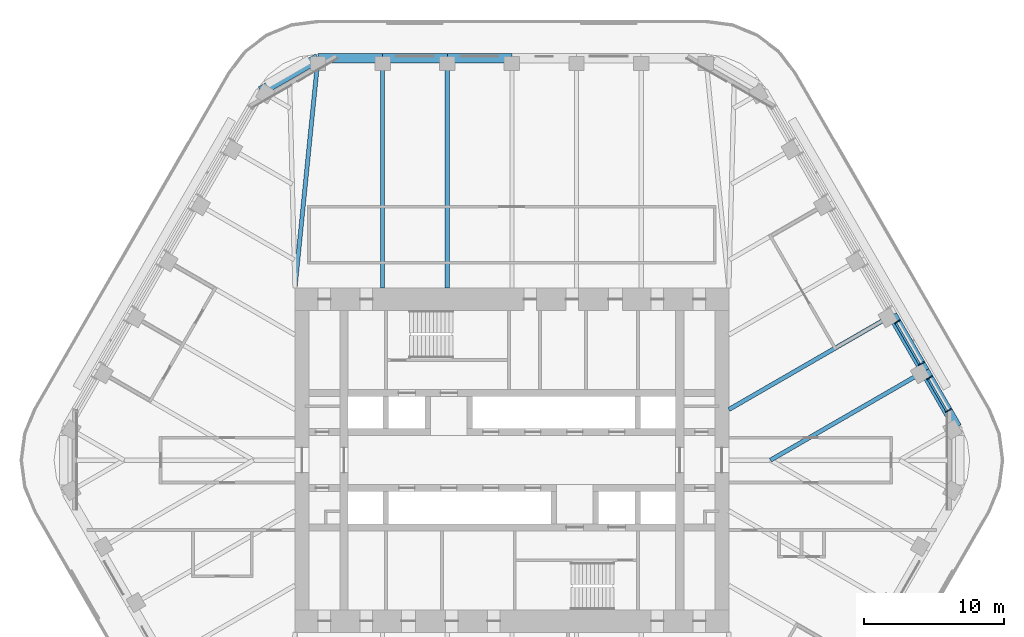
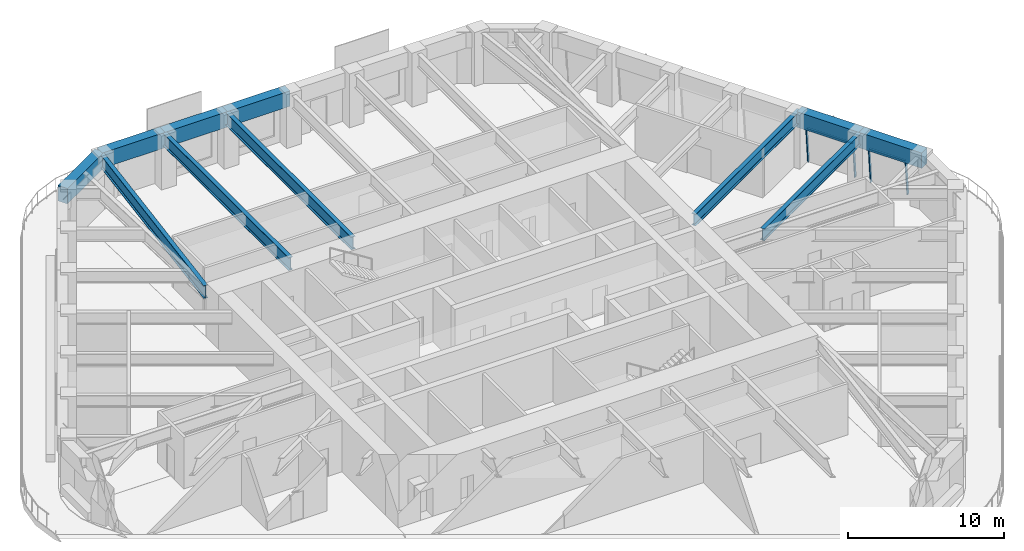
# One storey, part 9 of 20: 11 beams, 6 members, 2 elements without a shape of their own.
"""IFC4 building model written with IfcOpenShell, lengths in metres."""

from ifc_helpers import new_model, si_unit, direction, frame, origin, origin_2d, place, context, subcontext, project, spatial, rectangle, i_section, extrude, material, material_profile, profile_set, type_object, element, aggregate, save


model = new_model("IFC4")

# Units and contexts
model_context = context("Model", 3, precision=1e-05, world=origin(), true_north=direction((0.0, 1.0)))
body_context = subcontext(model_context, "Body", "Model", "MODEL_VIEW")
ifc_project = project(units=[si_unit("LENGTHUNIT", "METRE"), si_unit("AREAUNIT", "SQUARE_METRE"), si_unit("VOLUMEUNIT", "CUBIC_METRE"), si_unit("PLANEANGLEUNIT", "RADIAN"), si_unit("MASSUNIT", "GRAM", prefix="KILO")], contexts=[model_context])

# Site, building, storey
site_placement = place(None, origin())
site = spatial("IfcSite", under=ifc_project, at=site_placement, CompositionType="ELEMENT")
building_placement = place(site_placement, origin())
building = spatial("IfcBuilding", under=site, at=building_placement, Name="Tarfa Lantern Tower", CompositionType="ELEMENT")
storey_placement = place(building_placement, frame((0.0, 0.0, 282.699951171875)))
storey = spatial("IfcBuildingStorey", under=building, at=storey_placement, Name="L64", CompositionType="ELEMENT", Elevation=282.699951171875)

# Curtain wall, members
ifc_material_1 = material(Name="Aluminium framed curtain wall", Category="aluminium")
curtain_wall_type = type_object("IfcCurtainWallType", Name="CW3 CANTED GLAZING HIGH ZONE 2800", PredefinedType="USERDEFINED", material=ifc_material_1)
curtain_wall_1_placement = place(storey_placement, origin())
curtain_wall_1 = element("IfcCurtainWall", 1, at=curtain_wall_1_placement, inside=storey, type_object=curtain_wall_type, Name="CW3 NE L64", ObjectType="CURTAIN WALL", PredefinedType="USERDEFINED")
ifc_material_2 = material(Name="Aluminium mullion", Category="aluminium")
ifc_material_profile_1 = material_profile(ifc_material_2, rectangle(XDim=0.06494140625, YDim=0.199951171875, at=origin_2d()), Name="AL MULLION 65x200")
ifc_profile_set_1 = profile_set([ifc_material_profile_1], Name="Aluminium mullion")
member_type_1 = type_object("IfcMemberType", Name="CWM1 MULLION 65x200", PredefinedType="MULLION", material=ifc_profile_set_1)
member_1_placement = place(storey_placement, frame((31.2900390625, 3.60400390625, 0.0), z_axis=(-0.077032386753, -0.044465143199, 0.996036576854), x_axis=(0.499919672301, -0.866071776036, 0.0)))
member_1 = element("IfcMember", 2, at=member_1_placement, type_object=member_type_1, Name="CW3 mullion 1", PredefinedType="MULLION", context=body_context, shape_type="SweptSolid", body=[
    extrude(rectangle(XDim=0.06494140625, YDim=0.199951171875, at=origin_2d()), origin(), (0.0, 0.0, 1.0), 2.811279296875),
])
member_2_placement = place(storey_placement, frame((29.938232421875, 5.945556640625, 0.0), z_axis=(-0.077032386753, -0.044465143199, 0.996036576854), x_axis=(0.499919672301, -0.866071776036, 0.0)))
member_2 = element("IfcMember", 3, at=member_2_placement, type_object=member_type_1, Name="CW3 mullion 2", PredefinedType="MULLION", context=body_context, shape_type="SweptSolid", body=[
    extrude(rectangle(XDim=0.06494140625, YDim=0.199951171875, at=origin_2d()), origin(), (0.0, 0.0, 1.0), 2.811279296875),
])

curtain_wall_2_placement = place(storey_placement, origin())
curtain_wall_2 = element("IfcCurtainWall", 4, at=curtain_wall_2_placement, inside=storey, type_object=curtain_wall_type, Name="CW3 NE L64", ObjectType="CURTAIN WALL", PredefinedType="USERDEFINED")
member_3_placement = place(storey_placement, frame((29.355712890625, 6.954345703125, 0.0), z_axis=(-0.077032386753, -0.044465143199, 0.996036576854), x_axis=(0.499919672301, -0.866071776036, 0.0)))
member_3 = element("IfcMember", 5, at=member_3_placement, type_object=member_type_1, Name="CW3 mullion 1", PredefinedType="MULLION", context=body_context, shape_type="SweptSolid", body=[
    extrude(rectangle(XDim=0.06494140625, YDim=0.199951171875, at=origin_2d()), origin(), (0.0, 0.0, 1.0), 2.811279296875),
])
member_4_placement = place(storey_placement, frame((27.62890625, 9.945556640625, 0.0), z_axis=(-0.077032386753, -0.044465143199, 0.996036576854), x_axis=(0.499919672301, -0.866071776036, 0.0)))
member_4 = element("IfcMember", 6, at=member_4_placement, type_object=member_type_1, Name="CW3 mullion 2", PredefinedType="MULLION", context=body_context, shape_type="SweptSolid", body=[
    extrude(rectangle(XDim=0.06494140625, YDim=0.199951171875, at=origin_2d()), origin(), (0.0, 0.0, 1.0), 2.811279296875),
])

# Member
ifc_material_3 = material(Name="Aluminium transom", Category="aluminium")
ifc_material_profile_2 = material_profile(ifc_material_3, rectangle(XDim=0.14990234375, YDim=0.06494140625, at=origin_2d()), Name="AL TRANSOM 150x65")
ifc_profile_set_2 = profile_set([ifc_material_profile_2], Name="Aluminium transom")
member_type_2 = type_object("IfcMemberType", Name="CWT1 TRANSOM 150x65", PredefinedType="USERDEFINED", material=ifc_profile_set_2)
member_5_placement = place(storey_placement, frame((31.059814453125, 3.508544921875, 2.767578125), z_axis=(-0.499960041298, 0.866048472723, 0.0), x_axis=(-0.866048472723, -0.499960041298, 0.0)))
member_5 = element("IfcMember", 7, at=member_5_placement, type_object=member_type_2, Name="CW3 transom 1.2", ObjectType="TRANSOM", PredefinedType="USERDEFINED", context=body_context, shape_type="SweptSolid", body=[
    extrude(rectangle(XDim=0.14990234375, YDim=0.06494140625, at=origin_2d()), origin(), (0.0, 0.0, 1.0), 2.638916015625),
])

aggregate(curtain_wall_1, [member_1, member_2, member_5])

member_6_placement = place(storey_placement, frame((29.12548828125, 6.859130859375, 2.767578125), z_axis=(-0.499982299553, 0.866035622901, 0.0), x_axis=(-0.866035622901, -0.499982299553, 0.0)))
member_6 = element("IfcMember", 8, at=member_6_placement, type_object=member_type_2, Name="CW3 transom 1.2", ObjectType="TRANSOM", PredefinedType="USERDEFINED", context=body_context, shape_type="SweptSolid", body=[
    extrude(rectangle(XDim=0.14990234375, YDim=0.06494140625, at=origin_2d()), origin(), (0.0, 0.0, 1.0), 3.388671875),
])

aggregate(curtain_wall_2, [member_3, member_4, member_6])

# Beams
ifc_material_4 = material(Name="Concrete C80/95", Category="concrete")
ifc_material_profile_3 = material_profile(ifc_material_4, rectangle(XDim=0.699951171875, YDim=1.199951171875, at=origin_2d()), Name="RC 700x1200")
ifc_profile_set_3 = profile_set([ifc_material_profile_3], Name="Concrete C80/95")
beam_type_1 = type_object("IfcBeamType", Name="EB3 RC 700x1200", PredefinedType="SPANDREL", material=ifc_profile_set_3)
beam_1_placement = place(storey_placement, frame((31.800537109375, 2.360107421875, 3.400146484375), z_axis=(-0.500027479704, 0.866009537788, 0.0), x_axis=(-0.866009537788, -0.500027479704, 0.0)))
element("IfcBeam", 9, at=beam_1_placement, inside=storey, type_object=beam_type_1, Name="Edge beam NE0", PredefinedType="SPANDREL", context=body_context, shape_type="SweptSolid", body=[
    extrude(rectangle(XDim=0.699951171875, YDim=1.199951171875, at=origin_2d()), origin(), (0.0, 0.0, 1.0), 4.618896484375),
])
beam_2_placement = place(storey_placement, frame((29.490966796875, 6.360107421875, 3.400146484375), z_axis=(-0.499987836815, 0.866032426089, 0.0), x_axis=(-0.866032426089, -0.499987836815, 0.0)))
element("IfcBeam", 10, at=beam_2_placement, inside=storey, type_object=beam_type_1, Name="Edge beam NE1", PredefinedType="SPANDREL", context=body_context, shape_type="SweptSolid", body=[
    extrude(rectangle(XDim=0.699951171875, YDim=1.199951171875, at=origin_2d()), origin(), (0.0, 0.0, 1.0), 4.61865234375),
])
beam_3_placement = place(storey_placement, frame((0.0, 28.719970703125, 3.400146484375), z_axis=(-1.0, 0.0, 0.0), x_axis=(0.0, -1.0, 0.0)))
element("IfcBeam", 11, at=beam_3_placement, inside=storey, type_object=beam_type_1, Name="Edge beam N3", PredefinedType="SPANDREL", context=body_context, shape_type="SweptSolid", body=[
    extrude(rectangle(XDim=0.699951171875, YDim=1.199951171875, at=origin_2d()), origin(), (0.0, 0.0, 1.0), 4.618896484375),
])
beam_4_placement = place(storey_placement, frame((-4.618896484375, 28.719970703125, 3.400146484375), z_axis=(-1.0, 0.0, 0.0), x_axis=(0.0, -1.0, 0.0)))
element("IfcBeam", 12, at=beam_4_placement, inside=storey, type_object=beam_type_1, Name="Edge beam N4", PredefinedType="SPANDREL", context=body_context, shape_type="SweptSolid", body=[
    extrude(rectangle(XDim=0.699951171875, YDim=1.199951171875, at=origin_2d()), origin(), (0.0, 0.0, 1.0), 4.61865234375),
])
beam_5_placement = place(storey_placement, frame((-9.237548828125, 28.719970703125, 3.400146484375), z_axis=(-1.0, 0.0, 0.0), x_axis=(0.0, -1.0, 0.0)))
element("IfcBeam", 13, at=beam_5_placement, inside=storey, type_object=beam_type_1, Name="Edge beam N5", PredefinedType="SPANDREL", context=body_context, shape_type="SweptSolid", body=[
    extrude(rectangle(XDim=0.699951171875, YDim=1.199951171875, at=origin_2d()), origin(), (0.0, 0.0, 1.0), 4.618896484375),
])
beam_6_placement = place(storey_placement, frame((-13.8564453125, 28.719970703125, 3.400146484375), z_axis=(-0.866038294681, -0.499977671647, 0.0), x_axis=(0.499977671647, -0.866038294681, 0.0)))
element("IfcBeam", 14, at=beam_6_placement, inside=storey, type_object=beam_type_1, Name="Edge beam N6", PredefinedType="SPANDREL", context=body_context, shape_type="SweptSolid", body=[
    extrude(rectangle(XDim=0.699951171875, YDim=1.199951171875, at=origin_2d()), origin(), (0.0, 0.0, 1.0), 4.719970703125),
])
ifc_material_5 = material(Name="Steel S460M", Category="steel")
ifc_material_profile_4 = material_profile(ifc_material_5, i_section(OverallWidth=0.302001953125, OverallDepth=1.008056640625, WebThickness=0.02099609375, FlangeThickness=0.0400390625, FilletRadius=0.030029296875, at=origin_2d()), Name="UB1016x305x349")
ifc_profile_set_4 = profile_set([ifc_material_profile_4], Name="Steel S460M")
beam_type_2 = type_object("IfcBeamType", Name="UB1016x305x349", PredefinedType="BEAM", material=ifc_profile_set_4)
for number, where, z_axis, x_axis, name in (
    (15, (-4.618896484375, 28.719970703125, 3.49609375), (0.0, -1.0, 0.0), (1.0, 0.0, 0.0), "Floor beam N4"),
    (16, (-9.237548828125, 28.719970703125, 3.49609375), (0.0, -1.0, 0.0), (1.0, 0.0, 0.0), "Floor beam N5"),
):
    element("IfcBeam", number, at=place(storey_placement, frame(where, z_axis=z_axis, x_axis=x_axis)), inside=storey, type_object=beam_type_2, Name=name, PredefinedType="BEAM", context=body_context, shape_type="SweptSolid", body=[
        extrude(i_section(OverallWidth=0.302001953125, OverallDepth=1.008056640625, WebThickness=0.02099609375, FlangeThickness=0.0400390625, FilletRadius=0.030029296875, at=origin_2d()), origin(), (0.0, 0.0, 1.0), 16.419921875),
    ])
beam_7_placement = place(storey_placement, frame((-13.8564453125, 28.719970703125, 3.49609375), z_axis=(-0.099597466746, -0.995027810977, 0.0), x_axis=(0.995027810977, -0.099597466746, 0.0)))
element("IfcBeam", 17, at=beam_7_placement, inside=storey, type_object=beam_type_2, Name="Floor beam N6", PredefinedType="BEAM", context=body_context, shape_type="SweptSolid", body=[
    extrude(i_section(OverallWidth=0.302001953125, OverallDepth=1.008056640625, WebThickness=0.02099609375, FlangeThickness=0.0400390625, FilletRadius=0.030029296875, at=origin_2d()), origin(), (0.0, 0.0, 1.0), 16.501953125),
])
ifc_material_profile_5 = material_profile(ifc_material_5, i_section(OverallWidth=0.305419921875, OverallDepth=0.91845703125, WebThickness=0.017333984375, FlangeThickness=0.02783203125, FilletRadius=0.01904296875, at=origin_2d()), Name="UB914x305x253")
ifc_profile_set_5 = profile_set([ifc_material_profile_5], Name="Steel S460M")
beam_type_3 = type_object("IfcBeamType", Name="UB914x305x253", PredefinedType="BEAM", material=ifc_profile_set_5)
beam_8_placement = place(storey_placement, frame((29.490966796875, 6.360107421875, 3.540771484375), z_axis=(-0.866022258038, -0.500005448553, 0.0), x_axis=(0.500005448553, -0.866022258038, 0.0)))
element("IfcBeam", 18, at=beam_8_placement, inside=storey, type_object=beam_type_3, Name="Floor beam NE1", PredefinedType="BEAM", context=body_context, shape_type="SweptSolid", body=[
    extrude(i_section(OverallWidth=0.305419921875, OverallDepth=0.91845703125, WebThickness=0.017333984375, FlangeThickness=0.02783203125, FilletRadius=0.01904296875, at=origin_2d()), origin(), (0.0, 0.0, 1.0), 12.719970703125),
])
beam_9_placement = place(storey_placement, frame((27.181640625, 10.360107421875, 3.540771484375), z_axis=(-0.866018002818, -0.500012818631, 0.0), x_axis=(0.500012818631, -0.866018002818, 0.0)))
element("IfcBeam", 19, at=beam_9_placement, inside=storey, type_object=beam_type_3, Name="Floor beam NE2", PredefinedType="BEAM", context=body_context, shape_type="SweptSolid", body=[
    extrude(i_section(OverallWidth=0.305419921875, OverallDepth=0.91845703125, WebThickness=0.017333984375, FlangeThickness=0.02783203125, FilletRadius=0.01904296875, at=origin_2d()), origin(), (0.0, 0.0, 1.0), 13.489013671875),
])

save(model, "model.ifc")
